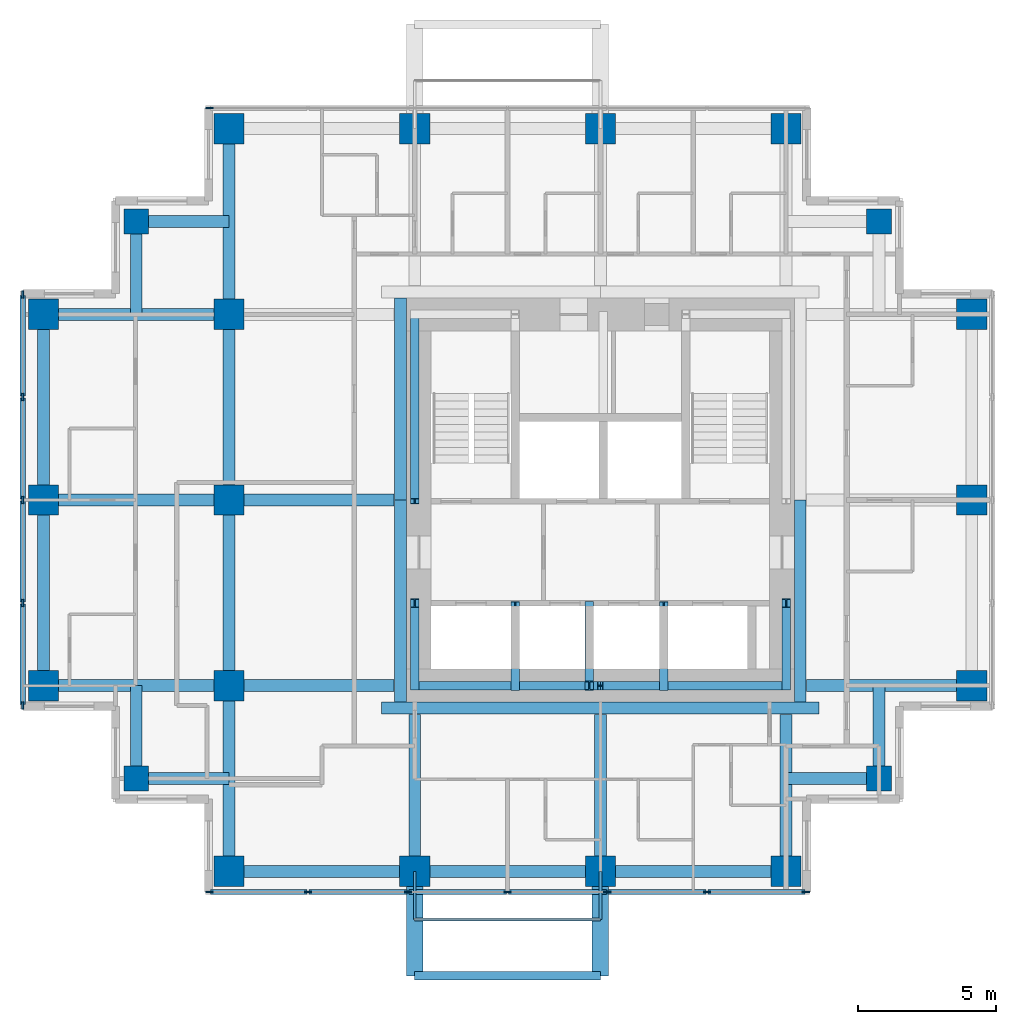
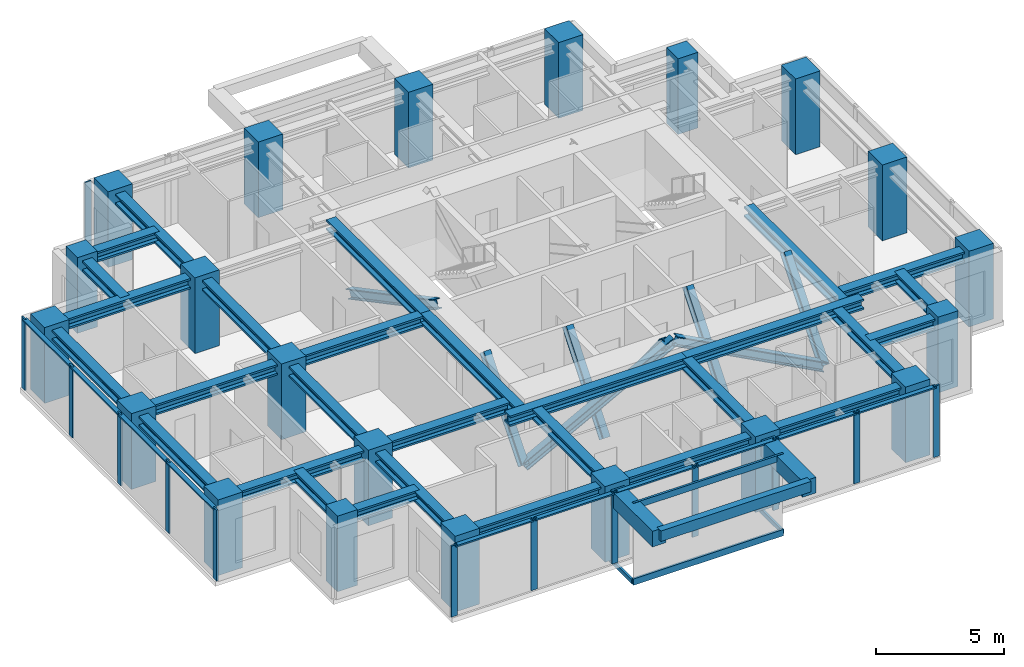
# One storey, part 1 of 8: 35 members, 32 beams, 21 columns, 3 elements without a shape of their own.
"""IFC4 building model written with IfcOpenShell, lengths in metres."""

from ifc_helpers import new_model, si_unit, direction, frame, origin, origin_2d, place, context, subcontext, project, spatial, rectangle, hollow_rectangle, i_section, extrude, material, material_profile, profile_set, type_object, element, aggregate, save


model = new_model("IFC4")

# Units and contexts
model_context = context("Model", 3, precision=1e-05, world=origin(), true_north=direction((0.0, 1.0)))
body_context = subcontext(model_context, "Body", "Model", "MODEL_VIEW")
ifc_project = project(units=[si_unit("LENGTHUNIT", "METRE"), si_unit("AREAUNIT", "SQUARE_METRE"), si_unit("VOLUMEUNIT", "CUBIC_METRE"), si_unit("PLANEANGLEUNIT", "RADIAN"), si_unit("MASSUNIT", "GRAM", prefix="KILO")], contexts=[model_context])

# Site, building, storey
site_placement = place(None, origin())
site = spatial("IfcSite", under=ifc_project, at=site_placement, CompositionType="ELEMENT")
building_placement = place(site_placement, origin())
building = spatial("IfcBuilding", under=site, at=building_placement, Name="Nyansa Garden Tower", CompositionType="ELEMENT")
storey_placement = place(building_placement, frame((0.0, 0.0, 222.300048828125)))
storey = spatial("IfcBuildingStorey", under=building, at=storey_placement, Name="L60", CompositionType="ELEMENT", Elevation=222.300048828125)

# Columns
ifc_material_1 = material(Name="Concrete C70/85", Category="concrete")
ifc_material_profile_1 = material_profile(ifc_material_1, rectangle(XDim=1.10009765625, YDim=1.10009765625, at=origin_2d()), Name="RC 1100x1100")
ifc_profile_set_1 = profile_set([ifc_material_profile_1], Name="Concrete C70/85")
column_type_1 = type_object("IfcColumnType", Name="Column C110 RC 1100x1100", PredefinedType="COLUMN", material=ifc_profile_set_1)
for number, where, z_axis, x_axis, name in (
    (1, (0.0, 13.5, 0.0), (0.0, 0.0, 1.0), (1.0, 0.0, 0.0), "Column 2/F L60"),
    (2, (0.0, 20.25, 0.0), (0.0, 0.0, 1.0), (1.0, 0.0, 0.0), "Column 2/G L60"),
    (3, (0.0, 27.0, 0.0), (0.0, 0.0, 1.0), (1.0, 0.0, 0.0), "Column 2/H L60"),
    (4, (6.75, 6.75, 0.0), (0.0, 0.0, 1.0), (1.0, 0.0, 0.0), "Column 3/E L60"),
    (5, (6.75, 13.5, 0.0), (0.0, 0.0, 1.0), (1.0, 0.0, 0.0), "Column 3/F L60"),
    (6, (6.75, 20.25, 0.0), (0.0, 0.0, 1.0), (1.0, 0.0, 0.0), "Column 3/G L60"),
    (7, (6.75, 27.0, 0.0), (0.0, 0.0, 1.0), (1.0, 0.0, 0.0), "Column 3/H L60"),
    (8, (6.75, 33.75, 0.0), (0.0, 0.0, 1.0), (1.0, 0.0, 0.0), "Column 3/J L60"),
    (9, (13.5, 6.75, 0.0), (0.0, 0.0, 1.0), (1.0, 0.0, 0.0), "Column 4/E L60"),
    (10, (13.5, 33.75, 0.0), (0.0, 0.0, 1.0), (1.0, 0.0, 0.0), "Column 4/J L60"),
    (11, (20.25, 6.75, 0.0), (0.0, 0.0, 1.0), (1.0, 0.0, 0.0), "Column 5/E L60"),
    (12, (20.25, 33.75, 0.0), (0.0, 0.0, 1.0), (1.0, 0.0, 0.0), "Column 5/J L60"),
    (13, (27.0, 6.75, 0.0), (0.0, 0.0, 1.0), (1.0, 0.0, 0.0), "Column 6/E L60"),
    (14, (27.0, 33.75, 0.0), (0.0, 0.0, 1.0), (1.0, 0.0, 0.0), "Column 6/J L60"),
    (15, (33.75, 13.5, 0.0), (0.0, 0.0, 1.0), (1.0, 0.0, 0.0), "Column 7/F L60"),
    (16, (33.75, 20.25, 0.0), (0.0, 0.0, 1.0), (1.0, 0.0, 0.0), "Column 7/G L60"),
    (17, (33.75, 27.0, 0.0), (0.0, 0.0, 1.0), (1.0, 0.0, 0.0), "Column 7/H L60"),
):
    element("IfcColumn", number, at=place(storey_placement, frame(where, z_axis=z_axis, x_axis=x_axis)), inside=storey, type_object=column_type_1, Name=name, PredefinedType="COLUMN", context=body_context, shape_type="SweptSolid", body=[
        extrude(rectangle(XDim=1.10009765625, YDim=1.10009765625, at=origin_2d()), origin(), (0.0, 0.0, 1.0), 3.599853515625),
    ])
ifc_material_2 = material(Name="Concrete C70/85", Category="concrete")
ifc_material_profile_2 = material_profile(ifc_material_2, rectangle(XDim=0.89990234375, YDim=0.89990234375, at=origin_2d()), Name="RC 900x900")
ifc_profile_set_2 = profile_set([ifc_material_profile_2], Name="Concrete C70/85")
column_type_2 = type_object("IfcColumnType", Name="Column C90 RC 900x900", PredefinedType="COLUMN", material=ifc_profile_set_2)
for number, where, z_axis, x_axis, name in (
    (18, (3.375, 10.125, 0.0), (0.0, 0.0, 1.0), (1.0, 0.0, 0.0), "Column x3.375/y10.125 L60"),
    (19, (3.375, 30.375, 0.0), (0.0, 0.0, 1.0), (1.0, 0.0, 0.0), "Column x3.375/y30.375 L60"),
    (20, (30.375, 10.125, 0.0), (0.0, 0.0, 1.0), (1.0, 0.0, 0.0), "Column x30.375/y10.125 L60"),
    (21, (30.375, 30.375, 0.0), (0.0, 0.0, 1.0), (1.0, 0.0, 0.0), "Column x30.375/y30.375 L60"),
):
    element("IfcColumn", number, at=place(storey_placement, frame(where, z_axis=z_axis, x_axis=x_axis)), inside=storey, type_object=column_type_2, Name=name, PredefinedType="COLUMN", context=body_context, shape_type="SweptSolid", body=[
        extrude(rectangle(XDim=0.89990234375, YDim=0.89990234375, at=origin_2d()), origin(), (0.0, 0.0, 1.0), 3.599853515625),
    ])

# Beams
ifc_material_3 = material(Name="Concrete C70/85", Category="concrete")
ifc_material_profile_3 = material_profile(ifc_material_3, rectangle(XDim=0.60009765625, YDim=0.75, at=origin_2d()), Name="RC 600x750")
ifc_profile_set_3 = profile_set([ifc_material_profile_3], Name="Concrete C70/85")
beam_type_1 = type_object("IfcBeamType", Name="Balcony cantilever beam CB1 RC 600x750", PredefinedType="BEAM", material=ifc_profile_set_3)
for number, where, z_axis, x_axis, name in (
    (22, (13.5, 6.75, 2.98486328125), (0.0, -1.0, 0.0), (1.0, 0.0, 0.0), "Balcony cantilever beam L61"),
    (23, (20.25, 6.75, 2.98486328125), (0.0, -1.0, 0.0), (1.0, 0.0, 0.0), "Balcony cantilever beam L61"),
):
    element("IfcBeam", number, at=place(storey_placement, frame(where, z_axis=z_axis, x_axis=x_axis)), inside=storey, type_object=beam_type_1, Name=name, PredefinedType="BEAM", context=body_context, shape_type="SweptSolid", body=[
        extrude(rectangle(XDim=0.60009765625, YDim=0.75, at=origin_2d()), origin(), (0.0, 0.0, 1.0), 3.800048828125),
    ])
ifc_material_4 = material(Name="Concrete C70/85", Category="concrete")
ifc_material_profile_4 = material_profile(ifc_material_4, rectangle(XDim=0.300048828125, YDim=0.5, at=origin_2d()), Name="RC 300x500")
ifc_profile_set_4 = profile_set([ifc_material_profile_4], Name="Concrete C70/85")
beam_type_2 = type_object("IfcBeamType", Name="Balcony edge beam BE1 RC 300x500", PredefinedType="BEAM", material=ifc_profile_set_4)
beam_1_placement = place(storey_placement, frame((13.5, 2.949951171875, 3.10986328125), z_axis=(1.0, 0.0, 0.0), x_axis=(0.0, 1.0, 0.0)))
element("IfcBeam", 24, at=beam_1_placement, inside=storey, type_object=beam_type_2, Name="Balcony edge beam L61", PredefinedType="BEAM", context=body_context, shape_type="SweptSolid", body=[
    extrude(rectangle(XDim=0.300048828125, YDim=0.5, at=origin_2d()), origin(), (0.0, 0.0, 1.0), 6.75),
])

# Curtain wall, member
ifc_material_5 = material(Name="Black anodised aluminium, dark tinted double glazing", Category="aluminium")
curtain_wall_type = type_object("IfcCurtainWallType", Name="Inner skin curtain wall ISW-D", PredefinedType="USERDEFINED", material=ifc_material_5)
curtain_wall_1_placement = place(storey_placement, origin())
curtain_wall_1 = element("IfcCurtainWall", 25, at=curtain_wall_1_placement, inside=storey, type_object=curtain_wall_type, Name="Inner skin curtain wall L60 N", ObjectType="UNITISED CURTAIN WALL", PredefinedType="USERDEFINED")
ifc_material_6 = material(Name="Black anodised aluminium", Category="aluminium")
ifc_material_profile_5 = material_profile(ifc_material_6, rectangle(XDim=0.070068359375, YDim=0.27490234375, at=origin_2d()), Name="Mullion 275x70")
ifc_profile_set_5 = profile_set([ifc_material_profile_5], Name="Black anodised aluminium")
member_type_1 = type_object("IfcMemberType", Name="Mullion ISW-D 275x70", PredefinedType="MULLION", material=ifc_profile_set_5)
member_1_placement = place(storey_placement, frame((6.034912109375, 34.5, 0.0), z_axis=(0.0, 0.0, 1.0), x_axis=(0.0, -1.0, 0.0)))
member_1 = element("IfcMember", 26, at=member_1_placement, type_object=member_type_1, Name="ISW-D mullion 7", PredefinedType="MULLION", context=body_context, shape_type="SweptSolid", body=[
    extrude(rectangle(XDim=0.070068359375, YDim=0.27490234375, at=origin_2d()), origin(), (0.0, 0.0, 1.0), 3.375),
])
aggregate(curtain_wall_1, [member_1])

# Curtain wall, members
curtain_wall_2_placement = place(storey_placement, origin())
curtain_wall_2 = element("IfcCurtainWall", 27, at=curtain_wall_2_placement, inside=storey, type_object=curtain_wall_type, Name="Inner skin curtain wall L60 W", ObjectType="UNITISED CURTAIN WALL", PredefinedType="USERDEFINED")
member_2_placement = place(storey_placement, frame((-0.75, 27.715087890625, 0.0), z_axis=(0.0, 0.0, 1.0), x_axis=(1.0, 0.0, 0.0)))
member_2 = element("IfcMember", 28, at=member_2_placement, type_object=member_type_1, Name="ISW-D mullion 1", PredefinedType="MULLION", context=body_context, shape_type="SweptSolid", body=[
    extrude(rectangle(XDim=0.070068359375, YDim=0.27490234375, at=origin_2d()), origin(), (0.0, 0.0, 1.0), 3.375),
])
member_3_placement = place(storey_placement, frame((-0.75, 24.0, 0.0), z_axis=(0.0, 0.0, 1.0), x_axis=(1.0, 0.0, 0.0)))
member_3 = element("IfcMember", 29, at=member_3_placement, type_object=member_type_1, Name="ISW-D mullion 2", PredefinedType="MULLION", context=body_context, shape_type="SweptSolid", body=[
    extrude(rectangle(XDim=0.070068359375, YDim=0.27490234375, at=origin_2d()), origin(), (0.0, 0.0, 1.0), 3.375),
])
member_4_placement = place(storey_placement, frame((-0.75, 20.25, 0.0), z_axis=(0.0, 0.0, 1.0), x_axis=(1.0, 0.0, 0.0)))
member_4 = element("IfcMember", 30, at=member_4_placement, type_object=member_type_1, Name="ISW-D mullion 3", PredefinedType="MULLION", context=body_context, shape_type="SweptSolid", body=[
    extrude(rectangle(XDim=0.070068359375, YDim=0.27490234375, at=origin_2d()), origin(), (0.0, 0.0, 1.0), 3.375),
])
member_5_placement = place(storey_placement, frame((-0.75, 16.5, 0.0), z_axis=(0.0, 0.0, 1.0), x_axis=(1.0, 0.0, 0.0)))
member_5 = element("IfcMember", 31, at=member_5_placement, type_object=member_type_1, Name="ISW-D mullion 4", PredefinedType="MULLION", context=body_context, shape_type="SweptSolid", body=[
    extrude(rectangle(XDim=0.070068359375, YDim=0.27490234375, at=origin_2d()), origin(), (0.0, 0.0, 1.0), 3.375),
])
member_6_placement = place(storey_placement, frame((-0.75, 12.784912109375, 0.0), z_axis=(0.0, 0.0, 1.0), x_axis=(1.0, 0.0, 0.0)))
member_6 = element("IfcMember", 32, at=member_6_placement, type_object=member_type_1, Name="ISW-D mullion 5", PredefinedType="MULLION", context=body_context, shape_type="SweptSolid", body=[
    extrude(rectangle(XDim=0.070068359375, YDim=0.27490234375, at=origin_2d()), origin(), (0.0, 0.0, 1.0), 3.375),
])

curtain_wall_3_placement = place(storey_placement, origin())
curtain_wall_3 = element("IfcCurtainWall", 33, at=curtain_wall_3_placement, inside=storey, type_object=curtain_wall_type, Name="Inner skin curtain wall L60 S", ObjectType="UNITISED CURTAIN WALL", PredefinedType="USERDEFINED")
member_7_placement = place(storey_placement, frame((6.034912109375, 6.0, 0.0), z_axis=(0.0, 0.0, 1.0), x_axis=(0.0, 1.0, 0.0)))
member_7 = element("IfcMember", 34, at=member_7_placement, type_object=member_type_1, Name="ISW-D mullion 1", PredefinedType="MULLION", context=body_context, shape_type="SweptSolid", body=[
    extrude(rectangle(XDim=0.070068359375, YDim=0.27490234375, at=origin_2d()), origin(), (0.0, 0.0, 1.0), 3.375),
])
member_8_placement = place(storey_placement, frame((9.625, 6.0, 0.0), z_axis=(0.0, 0.0, 1.0), x_axis=(0.0, 1.0, 0.0)))
member_8 = element("IfcMember", 35, at=member_8_placement, type_object=member_type_1, Name="ISW-D mullion 2", PredefinedType="MULLION", context=body_context, shape_type="SweptSolid", body=[
    extrude(rectangle(XDim=0.070068359375, YDim=0.27490234375, at=origin_2d()), origin(), (0.0, 0.0, 1.0), 3.375),
])
member_9_placement = place(storey_placement, frame((13.25, 6.0, 0.0), z_axis=(0.0, 0.0, 1.0), x_axis=(0.0, 1.0, 0.0)))
member_9 = element("IfcMember", 36, at=member_9_placement, type_object=member_type_1, Name="ISW-D mullion 3", PredefinedType="MULLION", context=body_context, shape_type="SweptSolid", body=[
    extrude(rectangle(XDim=0.070068359375, YDim=0.27490234375, at=origin_2d()), origin(), (0.0, 0.0, 1.0), 3.375),
])
member_10_placement = place(storey_placement, frame((16.875, 6.0, 0.0), z_axis=(0.0, 0.0, 1.0), x_axis=(0.0, 1.0, 0.0)))
member_10 = element("IfcMember", 37, at=member_10_placement, type_object=member_type_1, Name="ISW-D mullion 4", PredefinedType="MULLION", context=body_context, shape_type="SweptSolid", body=[
    extrude(rectangle(XDim=0.070068359375, YDim=0.27490234375, at=origin_2d()), origin(), (0.0, 0.0, 1.0), 3.375),
])
member_11_placement = place(storey_placement, frame((20.5, 6.0, 0.0), z_axis=(0.0, 0.0, 1.0), x_axis=(0.0, 1.0, 0.0)))
member_11 = element("IfcMember", 38, at=member_11_placement, type_object=member_type_1, Name="ISW-D mullion 5", PredefinedType="MULLION", context=body_context, shape_type="SweptSolid", body=[
    extrude(rectangle(XDim=0.070068359375, YDim=0.27490234375, at=origin_2d()), origin(), (0.0, 0.0, 1.0), 3.375),
])
member_12_placement = place(storey_placement, frame((24.125, 6.0, 0.0), z_axis=(0.0, 0.0, 1.0), x_axis=(0.0, 1.0, 0.0)))
member_12 = element("IfcMember", 39, at=member_12_placement, type_object=member_type_1, Name="ISW-D mullion 6", PredefinedType="MULLION", context=body_context, shape_type="SweptSolid", body=[
    extrude(rectangle(XDim=0.070068359375, YDim=0.27490234375, at=origin_2d()), origin(), (0.0, 0.0, 1.0), 3.375),
])
member_13_placement = place(storey_placement, frame((27.715087890625, 6.0, 0.0), z_axis=(0.0, 0.0, 1.0), x_axis=(0.0, 1.0, 0.0)))
member_13 = element("IfcMember", 40, at=member_13_placement, type_object=member_type_1, Name="ISW-D mullion 7", PredefinedType="MULLION", context=body_context, shape_type="SweptSolid", body=[
    extrude(rectangle(XDim=0.070068359375, YDim=0.27490234375, at=origin_2d()), origin(), (0.0, 0.0, 1.0), 3.375),
])

# Members
ifc_material_7 = material(Name="Steel S355, black powder coated", Category="steel")
ifc_material_profile_6 = material_profile(ifc_material_7, hollow_rectangle(XDim=0.10009765625, YDim=0.199951171875, WallThickness=0.008056640625, at=origin_2d()), Name="RHS 200x100x8")
ifc_profile_set_6 = profile_set([ifc_material_profile_6], Name="Steel S355, black powder coated")
member_type_2 = type_object("IfcMemberType", Name="Outer skin bracket arm RHS 200x100x8", PredefinedType="USERDEFINED", material=ifc_profile_set_6)
for number, where, z_axis, x_axis, name in (
    (41, (13.5, 6.75, -0.375), (0.0, -1.0, 0.0), (1.0, 0.0, 0.0), "Outer skin bracket arm"),
    (42, (20.25, 6.75, -0.375), (0.0, -1.0, 0.0), (1.0, 0.0, 0.0), "Outer skin bracket arm"),
):
    element("IfcMember", number, at=place(storey_placement, frame(where, z_axis=z_axis, x_axis=x_axis)), inside=storey, type_object=member_type_2, Name=name, ObjectType="OUTER SKIN BRACKET", PredefinedType="USERDEFINED", context=body_context, shape_type="SweptSolid", body=[
        extrude(hollow_rectangle(XDim=0.10009765625, YDim=0.199951171875, WallThickness=0.008056640625, at=origin_2d()), origin(), (0.0, 0.0, 1.0), 1.75),
    ])
ifc_material_8 = material(Name="Steel S355, black powder coated", Category="steel")
ifc_material_profile_7 = material_profile(ifc_material_8, hollow_rectangle(XDim=0.10009765625, YDim=0.300048828125, WallThickness=0.010009765625, at=origin_2d()), Name="RHS 300x100x10")
ifc_profile_set_7 = profile_set([ifc_material_profile_7], Name="Steel S355, black powder coated")
member_type_3 = type_object("IfcMemberType", Name="Outer skin rail RHS 300x100x10", PredefinedType="USERDEFINED", material=ifc_profile_set_7)
for number, where, z_axis, x_axis, name in (
    (43, (13.5, 5.0, -0.375), (1.0, 0.0, 0.0), (0.0, 1.0, 0.0), "Outer skin rail L60"),
    (44, (13.5, 5.0, 3.224853515625), (1.0, 0.0, 0.0), (0.0, 1.0, 0.0), "Outer skin rail L60 head"),
):
    element("IfcMember", number, at=place(storey_placement, frame(where, z_axis=z_axis, x_axis=x_axis)), inside=storey, type_object=member_type_3, Name=name, ObjectType="OUTER SKIN RAIL", PredefinedType="USERDEFINED", context=body_context, shape_type="SweptSolid", body=[
        extrude(hollow_rectangle(XDim=0.10009765625, YDim=0.300048828125, WallThickness=0.010009765625, at=origin_2d()), origin(), (0.0, 0.0, 1.0), 6.75),
    ])
ifc_material_9 = material(Name="Steel S355", Category="steel")
ifc_material_profile_8 = material_profile(ifc_material_9, i_section(OverallWidth=0.306884765625, OverallDepth=0.431884765625, WebThickness=0.02099609375, FlangeThickness=0.0400390625, FilletRadius=0.027099609375, at=origin_2d()), Name="HE 400 M")
ifc_profile_set_8 = profile_set([ifc_material_profile_8], Name="Steel S355")
member_type_4 = type_object("IfcMemberType", Name="Perimeter brace HE 400 M", PredefinedType="BRACE", material=ifc_profile_set_8)
for number, where, z_axis, x_axis, name in (
    (45, (13.5, 13.5, 0.0), (0.882360891967, 0.0, 0.470573327259), (0.0, 1.0, 0.0), "Core brace CS1 L60"),
    (46, (27.0, 13.5, 0.0), (-0.882360891967, 0.0, 0.470573327259), (0.0, -1.0, 0.0), "Core brace CS2 L60"),
):
    element("IfcMember", number, at=place(storey_placement, frame(where, z_axis=z_axis, x_axis=x_axis)), inside=storey, type_object=member_type_4, Name=name, PredefinedType="BRACE", context=body_context, shape_type="SweptSolid", body=[
        extrude(i_section(OverallWidth=0.306884765625, OverallDepth=0.431884765625, WebThickness=0.02099609375, FlangeThickness=0.0400390625, FilletRadius=0.027099609375, at=origin_2d()), origin(), (0.0, 0.0, 1.0), 7.64990234375),
    ])
member_14_placement = place(storey_placement, frame((13.5, 13.5, 0.0), z_axis=(0.0, 0.640199773186, 0.768208468069), x_axis=(-1.0, 0.0, 0.0)))
element("IfcMember", 47, at=member_14_placement, inside=storey, type_object=member_type_4, Name="Core brace CW5 L60", PredefinedType="BRACE", context=body_context, shape_type="SweptSolid", body=[
    extrude(i_section(OverallWidth=0.306884765625, OverallDepth=0.431884765625, WebThickness=0.02099609375, FlangeThickness=0.0400390625, FilletRadius=0.027099609375, at=origin_2d()), origin(), (0.0, 0.0, 1.0), 4.68603515625),
])
member_15_placement = place(storey_placement, frame((13.5, 27.0, 0.0), z_axis=(0.0, -0.883797178129, 0.467870225524), x_axis=(1.0, 0.0, 0.0)))
element("IfcMember", 48, at=member_15_placement, inside=storey, type_object=member_type_4, Name="Core brace CW6 L60", PredefinedType="BRACE", context=body_context, shape_type="SweptSolid", body=[
    extrude(i_section(OverallWidth=0.306884765625, OverallDepth=0.431884765625, WebThickness=0.02099609375, FlangeThickness=0.0400390625, FilletRadius=0.027099609375, at=origin_2d()), origin(), (0.0, 0.0, 1.0), 7.694091796875),
])
member_16_placement = place(storey_placement, frame((27.0, 13.5, 0.0), z_axis=(0.0, 0.640199773186, 0.768208468069), x_axis=(-1.0, 0.0, 0.0)))
element("IfcMember", 49, at=member_16_placement, inside=storey, type_object=member_type_4, Name="Core brace CE7 L60", PredefinedType="BRACE", context=body_context, shape_type="SweptSolid", body=[
    extrude(i_section(OverallWidth=0.306884765625, OverallDepth=0.431884765625, WebThickness=0.02099609375, FlangeThickness=0.0400390625, FilletRadius=0.027099609375, at=origin_2d()), origin(), (0.0, 0.0, 1.0), 4.68603515625),
])
for number, where, z_axis, x_axis, name in (
    (50, (17.14990234375, 13.5, 0.0), (0.0, 0.627332207022, 0.778751758928), (-1.0, 0.0, 0.0), "Core brace CSW11 L60"),
    (51, (19.85009765625, 16.39990234375, 0.0), (0.0, -0.627332207022, 0.778751758928), (1.0, 0.0, 0.0), "Core brace CSW12 L60"),
    (52, (22.550048828125, 13.5, 0.0), (0.0, 0.627332207022, 0.778751758928), (-1.0, 0.0, 0.0), "Core brace CSW13 L60"),
):
    element("IfcMember", number, at=place(storey_placement, frame(where, z_axis=z_axis, x_axis=x_axis)), inside=storey, type_object=member_type_4, Name=name, PredefinedType="BRACE", context=body_context, shape_type="SweptSolid", body=[
        extrude(i_section(OverallWidth=0.306884765625, OverallDepth=0.431884765625, WebThickness=0.02099609375, FlangeThickness=0.0400390625, FilletRadius=0.027099609375, at=origin_2d()), origin(), (0.0, 0.0, 1.0), 4.62255859375),
    ])

# Beams
ifc_material_10 = material(Name="Steel S355", Category="steel")
ifc_material_profile_9 = material_profile(ifc_material_10, i_section(OverallWidth=0.431884765625, OverallDepth=0.498046875, WebThickness=0.0556640625, FlangeThickness=0.0888671875, FilletRadius=0.014892578125, at=origin_2d()), Name="HD 400x744")
ifc_profile_set_9 = profile_set([ifc_material_profile_9], Name="Steel S355")
beam_type_3 = type_object("IfcBeamType", Name="Steel beam SBD1-744 HD 400x744", PredefinedType="BEAM", material=ifc_profile_set_9)
for number, where, z_axis, x_axis, name in (
    (53, (0.0, 13.5, 3.1259765625), (1.0, 0.0, 0.0), (0.0, 1.0, 0.0), "Steel beam 2/F-3/F L61"),
    (54, (0.0, 20.25, 3.1259765625), (1.0, 0.0, 0.0), (0.0, 1.0, 0.0), "Steel beam 2/G-3/G L61"),
    (55, (0.0, 27.0, 3.1259765625), (1.0, 0.0, 0.0), (0.0, 1.0, 0.0), "Steel beam 2/H-3/H L61"),
    (56, (6.75, 6.75, 3.1259765625), (0.0, 1.0, 0.0), (-1.0, 0.0, 0.0), "Steel beam 3/E-3/F L61"),
    (57, (6.75, 13.5, 3.1259765625), (0.0, 1.0, 0.0), (-1.0, 0.0, 0.0), "Steel beam 3/F-3/G L61"),
):
    element("IfcBeam", number, at=place(storey_placement, frame(where, z_axis=z_axis, x_axis=x_axis)), inside=storey, type_object=beam_type_3, Name=name, PredefinedType="BEAM", context=body_context, shape_type="SweptSolid", body=[
        extrude(i_section(OverallWidth=0.431884765625, OverallDepth=0.498046875, WebThickness=0.0556640625, FlangeThickness=0.0888671875, FilletRadius=0.014892578125, at=origin_2d()), origin(), (0.0, 0.0, 1.0), 6.75),
    ])
beam_2_placement = place(storey_placement, frame((6.75, 13.5, 3.1259765625), z_axis=(1.0, 0.0, 0.0), x_axis=(0.0, 1.0, 0.0)))
element("IfcBeam", 58, at=beam_2_placement, inside=storey, type_object=beam_type_3, Name="Steel beam 3/F-12.750/F L61", PredefinedType="BEAM", context=body_context, shape_type="SweptSolid", body=[
    extrude(i_section(OverallWidth=0.431884765625, OverallDepth=0.498046875, WebThickness=0.0556640625, FlangeThickness=0.0888671875, FilletRadius=0.014892578125, at=origin_2d()), origin(), (0.0, 0.0, 1.0), 6.0),
])
beam_3_placement = place(storey_placement, frame((6.75, 20.25, 3.1259765625), z_axis=(0.0, 1.0, 0.0), x_axis=(-1.0, 0.0, 0.0)))
element("IfcBeam", 59, at=beam_3_placement, inside=storey, type_object=beam_type_3, Name="Steel beam 3/G-3/H L61", PredefinedType="BEAM", context=body_context, shape_type="SweptSolid", body=[
    extrude(i_section(OverallWidth=0.431884765625, OverallDepth=0.498046875, WebThickness=0.0556640625, FlangeThickness=0.0888671875, FilletRadius=0.014892578125, at=origin_2d()), origin(), (0.0, 0.0, 1.0), 6.75),
])
beam_4_placement = place(storey_placement, frame((6.75, 20.25, 3.1259765625), z_axis=(1.0, 0.0, 0.0), x_axis=(0.0, 1.0, 0.0)))
element("IfcBeam", 60, at=beam_4_placement, inside=storey, type_object=beam_type_3, Name="Steel beam 3/G-12.750/G L61", PredefinedType="BEAM", context=body_context, shape_type="SweptSolid", body=[
    extrude(i_section(OverallWidth=0.431884765625, OverallDepth=0.498046875, WebThickness=0.0556640625, FlangeThickness=0.0888671875, FilletRadius=0.014892578125, at=origin_2d()), origin(), (0.0, 0.0, 1.0), 6.0),
])
beam_5_placement = place(storey_placement, frame((6.75, 27.0, 3.1259765625), z_axis=(0.0, 1.0, 0.0), x_axis=(-1.0, 0.0, 0.0)))
element("IfcBeam", 61, at=beam_5_placement, inside=storey, type_object=beam_type_3, Name="Steel beam 3/H-3/J L61", PredefinedType="BEAM", context=body_context, shape_type="SweptSolid", body=[
    extrude(i_section(OverallWidth=0.431884765625, OverallDepth=0.498046875, WebThickness=0.0556640625, FlangeThickness=0.0888671875, FilletRadius=0.014892578125, at=origin_2d()), origin(), (0.0, 0.0, 1.0), 6.75),
])
for number, where, z_axis, x_axis, name in (
    (62, (13.5, 6.75, 3.1259765625), (0.0, 1.0, 0.0), (-1.0, 0.0, 0.0), "Steel beam 4/E-4/12.450 L61"),
    (63, (20.25, 6.75, 3.1259765625), (0.0, 1.0, 0.0), (-1.0, 0.0, 0.0), "Steel beam 5/E-5/12.450 L61"),
    (64, (27.0, 6.75, 3.1259765625), (0.0, 1.0, 0.0), (-1.0, 0.0, 0.0), "Steel beam 6/E-6/12.450 L61"),
):
    element("IfcBeam", number, at=place(storey_placement, frame(where, z_axis=z_axis, x_axis=x_axis)), inside=storey, type_object=beam_type_3, Name=name, PredefinedType="BEAM", context=body_context, shape_type="SweptSolid", body=[
        extrude(i_section(OverallWidth=0.431884765625, OverallDepth=0.498046875, WebThickness=0.0556640625, FlangeThickness=0.0888671875, FilletRadius=0.014892578125, at=origin_2d()), origin(), (0.0, 0.0, 1.0), 5.699951171875),
    ])
beam_6_placement = place(storey_placement, frame((27.75, 13.5, 3.1259765625), z_axis=(1.0, 0.0, 0.0), x_axis=(0.0, 1.0, 0.0)))
element("IfcBeam", 65, at=beam_6_placement, inside=storey, type_object=beam_type_3, Name="Steel beam 27.750/F-7/F L61", PredefinedType="BEAM", context=body_context, shape_type="SweptSolid", body=[
    extrude(i_section(OverallWidth=0.431884765625, OverallDepth=0.498046875, WebThickness=0.0556640625, FlangeThickness=0.0888671875, FilletRadius=0.014892578125, at=origin_2d()), origin(), (0.0, 0.0, 1.0), 6.0),
])
ifc_material_11 = material(Name="Steel S355", Category="steel")
ifc_material_profile_10 = material_profile(ifc_material_11, i_section(OverallWidth=0.431884765625, OverallDepth=0.498046875, WebThickness=0.0556640625, FlangeThickness=0.0888671875, FilletRadius=0.014892578125, at=origin_2d()), Name="HD 400x744")
ifc_profile_set_10 = profile_set([ifc_material_profile_10], Name="Steel S355")
beam_type_4 = type_object("IfcBeamType", Name="Steel beam SEBD-744 HD 400x744", PredefinedType="BEAM", material=ifc_profile_set_10)
for number, where, z_axis, x_axis, name in (
    (66, (0.0, 13.5, 3.1259765625), (0.0, 1.0, 0.0), (-1.0, 0.0, 0.0), "Steel edge beam 2/F-2/G L61"),
    (67, (0.0, 20.25, 3.1259765625), (0.0, 1.0, 0.0), (-1.0, 0.0, 0.0), "Steel edge beam 2/G-2/H L61"),
    (68, (6.75, 6.75, 3.1259765625), (1.0, 0.0, 0.0), (0.0, 1.0, 0.0), "Steel edge beam 3/E-4/E L61"),
    (69, (13.5, 6.75, 3.1259765625), (1.0, 0.0, 0.0), (0.0, 1.0, 0.0), "Steel edge beam 4/E-5/E L61"),
    (70, (20.25, 6.75, 3.1259765625), (1.0, 0.0, 0.0), (0.0, 1.0, 0.0), "Steel edge beam 5/E-6/E L61"),
):
    element("IfcBeam", number, at=place(storey_placement, frame(where, z_axis=z_axis, x_axis=x_axis)), inside=storey, type_object=beam_type_4, Name=name, PredefinedType="BEAM", context=body_context, shape_type="SweptSolid", body=[
        extrude(i_section(OverallWidth=0.431884765625, OverallDepth=0.498046875, WebThickness=0.0556640625, FlangeThickness=0.0888671875, FilletRadius=0.014892578125, at=origin_2d()), origin(), (0.0, 0.0, 1.0), 6.75),
    ])
ifc_material_12 = material(Name="Steel S355", Category="steel")
ifc_material_profile_11 = material_profile(ifc_material_12, i_section(OverallWidth=0.431884765625, OverallDepth=0.498046875, WebThickness=0.0556640625, FlangeThickness=0.0888671875, FilletRadius=0.014892578125, at=origin_2d()), Name="HD 400x744")
ifc_profile_set_11 = profile_set([ifc_material_profile_11], Name="Steel S355")
beam_type_5 = type_object("IfcBeamType", Name="Steel beam SLB1-744 HD 400x744", PredefinedType="BEAM", material=ifc_profile_set_11)
for number, where, z_axis, x_axis, name in (
    (71, (12.300048828125, 12.68408203125, 3.1259765625), (1.0, 0.0, 0.0), (0.0, 1.0, 0.0), "Steel core ledger beam S.1 L61"),
    (72, (20.25, 12.68408203125, 3.1259765625), (1.0, 0.0, 0.0), (0.0, 1.0, 0.0), "Steel core ledger beam S.2 L61"),
):
    element("IfcBeam", number, at=place(storey_placement, frame(where, z_axis=z_axis, x_axis=x_axis)), inside=storey, type_object=beam_type_5, Name=name, PredefinedType="BEAM", context=body_context, shape_type="SweptSolid", body=[
        extrude(i_section(OverallWidth=0.431884765625, OverallDepth=0.498046875, WebThickness=0.0556640625, FlangeThickness=0.0888671875, FilletRadius=0.014892578125, at=origin_2d()), origin(), (0.0, 0.0, 1.0), 7.949951171875),
    ])
for number, where, z_axis, x_axis, name in (
    (73, (27.51611328125, 12.89990234375, 3.1259765625), (0.0, 1.0, 0.0), (-1.0, 0.0, 0.0), "Steel core ledger beam E.1 L61"),
    (74, (12.98388671875, 27.60009765625, 3.1259765625), (0.0, -1.0, 0.0), (1.0, 0.0, 0.0), "Steel core ledger beam W.1 L61"),
    (75, (12.98388671875, 20.25, 3.1259765625), (0.0, -1.0, 0.0), (1.0, 0.0, 0.0), "Steel core ledger beam W.2 L61"),
):
    element("IfcBeam", number, at=place(storey_placement, frame(where, z_axis=z_axis, x_axis=x_axis)), inside=storey, type_object=beam_type_5, Name=name, PredefinedType="BEAM", context=body_context, shape_type="SweptSolid", body=[
        extrude(i_section(OverallWidth=0.431884765625, OverallDepth=0.498046875, WebThickness=0.0556640625, FlangeThickness=0.0888671875, FilletRadius=0.014892578125, at=origin_2d()), origin(), (0.0, 0.0, 1.0), 7.35009765625),
    ])
ifc_material_13 = material(Name="Steel S355", Category="steel")
ifc_material_profile_12 = material_profile(ifc_material_13, i_section(OverallWidth=0.431884765625, OverallDepth=0.498046875, WebThickness=0.0556640625, FlangeThickness=0.0888671875, FilletRadius=0.014892578125, at=origin_2d()), Name="HD 400x744")
ifc_profile_set_12 = profile_set([ifc_material_profile_12], Name="Steel S355")
beam_type_6 = type_object("IfcBeamType", Name="Steel beam SSB1-744 HD 400x744", PredefinedType="BEAM", material=ifc_profile_set_12)
for number, where, z_axis, x_axis, name in (
    (76, (3.375, 10.125, 3.1259765625), (0.0, 1.0, 0.0), (-1.0, 0.0, 0.0), "Steel step beam 3.375/10.125 L61"),
    (77, (3.375, 10.125, 3.1259765625), (1.0, 0.0, 0.0), (0.0, 1.0, 0.0), "Steel step beam 3.375/10.125 L61"),
    (78, (30.375, 10.125, 3.1259765625), (0.0, 1.0, 0.0), (-1.0, 0.0, 0.0), "Steel step beam 30.375/10.125 L61"),
    (79, (30.375, 10.125, 3.1259765625), (-1.0, 0.0, 0.0), (0.0, -1.0, 0.0), "Steel step beam 30.375/10.125 L61"),
    (80, (3.375, 30.375, 3.1259765625), (0.0, -1.0, 0.0), (1.0, 0.0, 0.0), "Steel step beam 3.375/30.375 L61"),
    (81, (3.375, 30.375, 3.1259765625), (1.0, 0.0, 0.0), (0.0, 1.0, 0.0), "Steel step beam 3.375/30.375 L61"),
):
    element("IfcBeam", number, at=place(storey_placement, frame(where, z_axis=z_axis, x_axis=x_axis)), inside=storey, type_object=beam_type_6, Name=name, PredefinedType="BEAM", context=body_context, shape_type="SweptSolid", body=[
        extrude(i_section(OverallWidth=0.431884765625, OverallDepth=0.498046875, WebThickness=0.0556640625, FlangeThickness=0.0888671875, FilletRadius=0.014892578125, at=origin_2d()), origin(), (0.0, 0.0, 1.0), 3.375),
    ])

# Member
ifc_material_14 = material(Name="Black anodised aluminium", Category="aluminium")
ifc_material_profile_13 = material_profile(ifc_material_14, rectangle(XDim=0.195068359375, YDim=0.070068359375, at=origin_2d()), Name="Transom 195x70")
ifc_profile_set_13 = profile_set([ifc_material_profile_13], Name="Black anodised aluminium")
member_type_5 = type_object("IfcMemberType", Name="Transom ISW-D 195x70", PredefinedType="USERDEFINED", material=ifc_profile_set_13)
member_17_placement = place(storey_placement, frame((-0.75, 27.679931640625, 3.33984375), z_axis=(0.0, -1.0, 0.0), x_axis=(1.0, 0.0, 0.0)))
member_17 = element("IfcMember", 82, at=member_17_placement, type_object=member_type_5, Name="ISW-D transom 1", ObjectType="TRANSOM", PredefinedType="USERDEFINED", context=body_context, shape_type="SweptSolid", body=[
    extrude(rectangle(XDim=0.195068359375, YDim=0.070068359375, at=origin_2d()), origin(), (0.0, 0.0, 1.0), 3.64501953125),
])

member_18_placement = place(storey_placement, frame((-0.75, 23.965087890625, 3.33984375), z_axis=(0.0, -1.0, 0.0), x_axis=(1.0, 0.0, 0.0)))
member_18 = element("IfcMember", 83, at=member_18_placement, type_object=member_type_5, Name="ISW-D transom 2", ObjectType="TRANSOM", PredefinedType="USERDEFINED", context=body_context, shape_type="SweptSolid", body=[
    extrude(rectangle(XDim=0.195068359375, YDim=0.070068359375, at=origin_2d()), origin(), (0.0, 0.0, 1.0), 3.68017578125),
])

member_19_placement = place(storey_placement, frame((-0.75, 20.215087890625, 3.33984375), z_axis=(0.0, -1.0, 0.0), x_axis=(1.0, 0.0, 0.0)))
member_19 = element("IfcMember", 84, at=member_19_placement, type_object=member_type_5, Name="ISW-D transom 3", ObjectType="TRANSOM", PredefinedType="USERDEFINED", context=body_context, shape_type="SweptSolid", body=[
    extrude(rectangle(XDim=0.195068359375, YDim=0.070068359375, at=origin_2d()), origin(), (0.0, 0.0, 1.0), 3.68017578125),
])

member_20_placement = place(storey_placement, frame((-0.75, 16.465087890625, 3.33984375), z_axis=(0.0, -1.0, 0.0), x_axis=(1.0, 0.0, 0.0)))
member_20 = element("IfcMember", 85, at=member_20_placement, type_object=member_type_5, Name="ISW-D transom 4", ObjectType="TRANSOM", PredefinedType="USERDEFINED", context=body_context, shape_type="SweptSolid", body=[
    extrude(rectangle(XDim=0.195068359375, YDim=0.070068359375, at=origin_2d()), origin(), (0.0, 0.0, 1.0), 3.64501953125),
])

aggregate(curtain_wall_2, [member_2, member_3, member_4, member_5, member_6, member_17, member_18, member_19, member_20])

member_21_placement = place(storey_placement, frame((6.070068359375, 6.0, 3.33984375), z_axis=(1.0, 0.0, 0.0), x_axis=(0.0, 1.0, 0.0)))
member_21 = element("IfcMember", 86, at=member_21_placement, type_object=member_type_5, Name="ISW-D transom 1", ObjectType="TRANSOM", PredefinedType="USERDEFINED", context=body_context, shape_type="SweptSolid", body=[
    extrude(rectangle(XDim=0.195068359375, YDim=0.070068359375, at=origin_2d()), origin(), (0.0, 0.0, 1.0), 3.52001953125),
])

member_22_placement = place(storey_placement, frame((9.659912109375, 6.0, 3.33984375), z_axis=(1.0, 0.0, 0.0), x_axis=(0.0, 1.0, 0.0)))
member_22 = element("IfcMember", 87, at=member_22_placement, type_object=member_type_5, Name="ISW-D transom 2", ObjectType="TRANSOM", PredefinedType="USERDEFINED", context=body_context, shape_type="SweptSolid", body=[
    extrude(rectangle(XDim=0.195068359375, YDim=0.070068359375, at=origin_2d()), origin(), (0.0, 0.0, 1.0), 3.55517578125),
])

member_23_placement = place(storey_placement, frame((13.284912109375, 6.0, 3.33984375), z_axis=(1.0, 0.0, 0.0), x_axis=(0.0, 1.0, 0.0)))
member_23 = element("IfcMember", 88, at=member_23_placement, type_object=member_type_5, Name="ISW-D transom 3", ObjectType="TRANSOM", PredefinedType="USERDEFINED", context=body_context, shape_type="SweptSolid", body=[
    extrude(rectangle(XDim=0.195068359375, YDim=0.070068359375, at=origin_2d()), origin(), (0.0, 0.0, 1.0), 3.55517578125),
])

member_24_placement = place(storey_placement, frame((16.909912109375, 6.0, 3.33984375), z_axis=(1.0, 0.0, 0.0), x_axis=(0.0, 1.0, 0.0)))
member_24 = element("IfcMember", 89, at=member_24_placement, type_object=member_type_5, Name="ISW-D transom 4", ObjectType="TRANSOM", PredefinedType="USERDEFINED", context=body_context, shape_type="SweptSolid", body=[
    extrude(rectangle(XDim=0.195068359375, YDim=0.070068359375, at=origin_2d()), origin(), (0.0, 0.0, 1.0), 3.55517578125),
])

member_25_placement = place(storey_placement, frame((20.534912109375, 6.0, 3.33984375), z_axis=(1.0, 0.0, 0.0), x_axis=(0.0, 1.0, 0.0)))
member_25 = element("IfcMember", 90, at=member_25_placement, type_object=member_type_5, Name="ISW-D transom 5", ObjectType="TRANSOM", PredefinedType="USERDEFINED", context=body_context, shape_type="SweptSolid", body=[
    extrude(rectangle(XDim=0.195068359375, YDim=0.070068359375, at=origin_2d()), origin(), (0.0, 0.0, 1.0), 3.55517578125),
])

member_26_placement = place(storey_placement, frame((24.159912109375, 6.0, 3.33984375), z_axis=(1.0, 0.0, 0.0), x_axis=(0.0, 1.0, 0.0)))
member_26 = element("IfcMember", 91, at=member_26_placement, type_object=member_type_5, Name="ISW-D transom 6", ObjectType="TRANSOM", PredefinedType="USERDEFINED", context=body_context, shape_type="SweptSolid", body=[
    extrude(rectangle(XDim=0.195068359375, YDim=0.070068359375, at=origin_2d()), origin(), (0.0, 0.0, 1.0), 3.52001953125),
])

aggregate(curtain_wall_3, [member_7, member_8, member_9, member_10, member_11, member_12, member_13, member_21, member_22, member_23, member_24, member_25, member_26])

save(model, "model.ifc")
